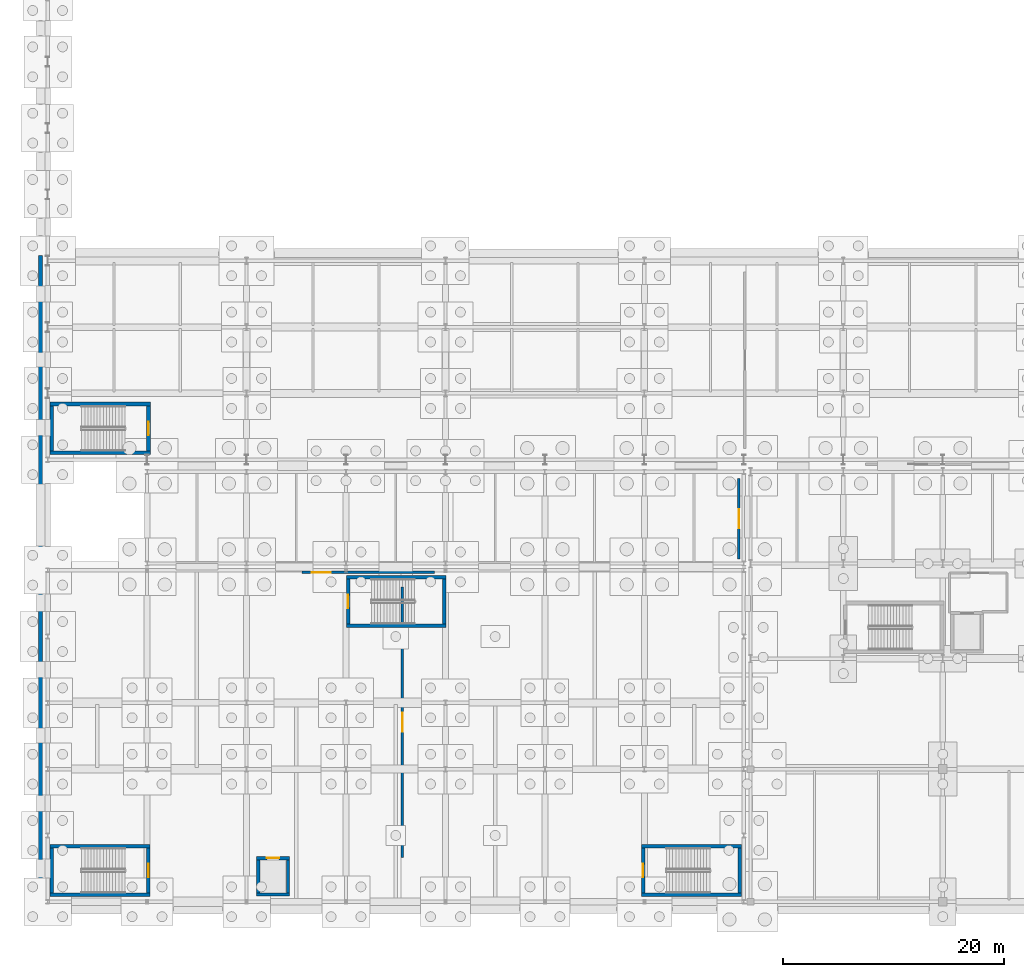
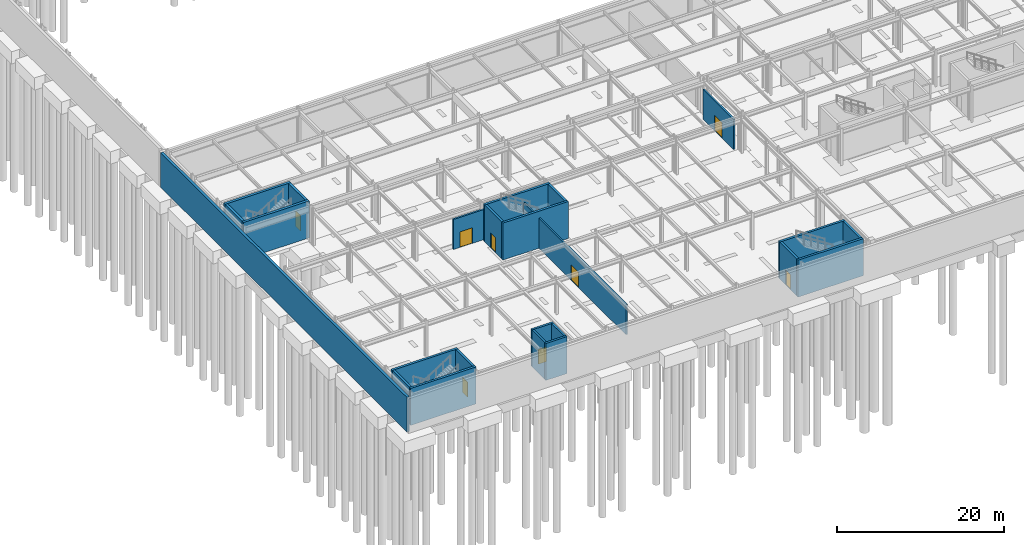
# One storey, part 42 of 65: 24 walls, 8 doors, 8 openings.
"""IFC4 building model written with IfcOpenShell, lengths in metres."""

from ifc_helpers import new_model, si_unit, direction, frame, frame_2d, origin, place, context, subcontext, project, spatial, rectangle, extrude, material, layer, layer_set, type_object, element, fill, save


model = new_model("IFC4")

# Units and contexts
model_context = context("Model", 3, precision=1e-05, world=origin(), true_north=direction((0.0, 1.0)))
body_context = subcontext(model_context, "Body", "Model", "MODEL_VIEW")
ifc_project = project(units=[si_unit("LENGTHUNIT", "METRE"), si_unit("AREAUNIT", "SQUARE_METRE"), si_unit("VOLUMEUNIT", "CUBIC_METRE"), si_unit("PLANEANGLEUNIT", "RADIAN"), si_unit("MASSUNIT", "GRAM", prefix="KILO")], contexts=[model_context])

# Site, building, storey
site_placement = place(None, origin())
site = spatial("IfcSite", under=ifc_project, at=site_placement, CompositionType="ELEMENT")
building_placement = place(site_placement, origin())
building = spatial("IfcBuilding", under=site, at=building_placement, Name="Kaldris Quays Convention Centre", CompositionType="ELEMENT")
storey_placement = place(building_placement, frame((0.0, 0.0, -5.39990234375)))
storey = spatial("IfcBuildingStorey", under=building, at=storey_placement, Name="B1", CompositionType="ELEMENT", Elevation=-5.39990234375)

# Wall, opening, door
ifc_material_1 = material(Name="Concrete C35/45", Category="concrete")
ifc_layer_1 = layer(ifc_material_1, 0.22412109375)
ifc_layer_set_1 = layer_set([ifc_layer_1], Name="Concrete C35/45")
wall_type_1 = type_object("IfcWallType", Name="INTERIOR WALL IW08", PredefinedType="PARTITIONING", material=ifc_layer_set_1)
wall_1_placement = place(storey_placement, frame((82.550048828125, 47.0, 0.0), z_axis=(0.0, 0.0, 1.0), x_axis=(0.0, 1.0, 0.0)))
wall_1 = element("IfcWall", 1, at=wall_1_placement, inside=storey, type_object=wall_type_1, Name="B1 Interior Wall IW08 1", PredefinedType="PARTITIONING", context=body_context, shape_type="SweptSolid", body=[
    extrude(rectangle(XDim=7.300048828125, YDim=0.22412109375, at=frame_2d((3.64990234375, 0.0))), origin(), (0.0, 0.0, 1.0), 4.39990234375),
])
opening_1_placement = place(wall_1_placement, frame((2.7900390625, 0.0, 0.0)))
opening_1 = element("IfcOpeningElement", 2, at=opening_1_placement, cuts=wall_1, Name="Opening ID15", PredefinedType="OPENING", context=body_context, shape_type="SweptSolid", body=[
    extrude(rectangle(XDim=1.719970703125, YDim=2.280029296875, at=frame_2d((0.85986328125, 1.14013671875))), frame((0.0, 0.1220703125, 0.0), z_axis=(0.0, -1.0, 0.0), x_axis=(1.0, 0.0, 0.0)), (0.0, 0.0, 1.0), 0.244140625),
])
ifc_material_2 = material(Name="Steel S355J2 plant room double fire door", Category="steel")
door_type_1 = type_object("IfcDoorType", Name="INTERIOR DOOR ID15", OperationType="DOUBLE_DOOR_SINGLE_SWING", PredefinedType="DOOR", material=ifc_material_2)
door_1_placement = place(opening_1_placement, frame((1.719970703125, 0.0, 0.0), z_axis=(0.0, 0.0, 1.0), x_axis=(-1.0, 0.0, 0.0)))
door_1 = element("IfcDoor", 3, at=door_1_placement, inside=storey, type_object=door_type_1, Name="B1 Interior Door ID15 1", OperationType="DOUBLE_DOOR_SINGLE_SWING", OverallHeight=2.280029296875, OverallWidth=1.719970703125, PredefinedType="DOOR", context=body_context, shape_type="SweptSolid", body=[
    extrude(rectangle(XDim=1.719970703125, YDim=2.280029296875, at=frame_2d((0.85986328125, 1.14013671875))), frame((0.0, 0.02490234375, 0.0), z_axis=(0.0, -1.0, 0.0), x_axis=(1.0, 0.0, 0.0)), (0.0, 0.0, 1.0), 0.050048828125),
])
fill(opening_1, door_1)

wall_2_placement = place(storey_placement, frame((43.0, 45.800048828125, 0.0), z_axis=(0.0, 0.0, 1.0), x_axis=(1.0, 0.0, 0.0)))
wall_2 = element("IfcWall", 4, at=wall_2_placement, inside=storey, type_object=wall_type_1, Name="B1 Interior Wall IW08 2", PredefinedType="PARTITIONING", context=body_context, shape_type="SweptSolid", body=[
    extrude(rectangle(XDim=12.0, YDim=0.22412109375, at=frame_2d((6.0, 0.0))), origin(), (0.0, 0.0, 1.0), 4.39990234375),
])
opening_2_placement = place(wall_2_placement, frame((0.889892578125, 0.0, 0.0)))
opening_2 = element("IfcOpeningElement", 5, at=opening_2_placement, cuts=wall_2, Name="Opening ID15", PredefinedType="OPENING", context=body_context, shape_type="SweptSolid", body=[
    extrude(rectangle(XDim=1.719970703125, YDim=2.280029296875, at=frame_2d((0.85986328125, 1.14013671875))), frame((0.0, 0.1220703125, 0.0), z_axis=(0.0, -1.0, 0.0), x_axis=(1.0, 0.0, 0.0)), (0.0, 0.0, 1.0), 0.244140625),
])
door_2_placement = place(opening_2_placement, origin())
door_2 = element("IfcDoor", 6, at=door_2_placement, inside=storey, type_object=door_type_1, Name="B1 Interior Door ID15 2", OperationType="DOUBLE_DOOR_SINGLE_SWING", OverallHeight=2.280029296875, OverallWidth=1.719970703125, PredefinedType="DOOR", context=body_context, shape_type="SweptSolid", body=[
    extrude(rectangle(XDim=1.719970703125, YDim=2.280029296875, at=frame_2d((0.85986328125, 1.14013671875))), frame((0.0, 0.02490234375, 0.0), z_axis=(0.0, -1.0, 0.0), x_axis=(1.0, 0.0, 0.0)), (0.0, 0.0, 1.0), 0.050048828125),
])
fill(opening_2, door_2)

wall_3_placement = place(storey_placement, frame((52.10009765625, 20.0, 0.0), z_axis=(0.0, 0.0, 1.0), x_axis=(0.0, 1.0, 0.0)))
wall_3 = element("IfcWall", 7, at=wall_3_placement, inside=storey, type_object=wall_type_1, Name="B1 Interior Wall IW08 3", PredefinedType="PARTITIONING", context=body_context, shape_type="SweptSolid", body=[
    extrude(rectangle(XDim=24.5, YDim=0.22412109375, at=frame_2d((12.25, 0.0))), origin(), (0.0, 0.0, 1.0), 4.39990234375),
])
opening_3_placement = place(wall_3_placement, frame((11.389892578125, 0.0, 0.0)))
opening_3 = element("IfcOpeningElement", 8, at=opening_3_placement, cuts=wall_3, Name="Opening ID15", PredefinedType="OPENING", context=body_context, shape_type="SweptSolid", body=[
    extrude(rectangle(XDim=1.719970703125, YDim=2.280029296875, at=frame_2d((0.85986328125, 1.14013671875))), frame((0.0, 0.1220703125, 0.0), z_axis=(0.0, -1.0, 0.0), x_axis=(1.0, 0.0, 0.0)), (0.0, 0.0, 1.0), 0.244140625),
])
door_3_placement = place(opening_3_placement, origin())
door_3 = element("IfcDoor", 9, at=door_3_placement, inside=storey, type_object=door_type_1, Name="B1 Interior Door ID15 3", OperationType="DOUBLE_DOOR_SINGLE_SWING", OverallHeight=2.280029296875, OverallWidth=1.719970703125, PredefinedType="DOOR", context=body_context, shape_type="SweptSolid", body=[
    extrude(rectangle(XDim=1.719970703125, YDim=2.280029296875, at=frame_2d((0.85986328125, 1.14013671875))), frame((0.0, 0.02490234375, 0.0), z_axis=(0.0, -1.0, 0.0), x_axis=(1.0, 0.0, 0.0)), (0.0, 0.0, 1.0), 0.050048828125),
])
fill(opening_3, door_3)

# Walls
ifc_layer_2 = layer(ifc_material_1, 0.360107421875)
ifc_layer_set_2 = layer_set([ifc_layer_2], Name="Concrete C35/45")
wall_type_2 = type_object("IfcWallType", Name="STRUCTURAL WALL RW01", PredefinedType="SOLIDWALL", material=ifc_layer_set_2)
wall_4_placement = place(storey_placement, frame((19.35009765625, 15.52197265625, 0.0), z_axis=(0.0, 0.0, 1.0), x_axis=(0.0, 1.0, 0.0)))
element("IfcWall", 10, at=wall_4_placement, inside=storey, type_object=wall_type_2, Name="B1 Perimeter Retaining Wall RW01 1", PredefinedType="SOLIDWALL", context=body_context, shape_type="SweptSolid", body=[
    extrude(rectangle(XDim=58.9560546875, YDim=0.360107421875, at=frame_2d((29.47802734375, 0.0))), origin(), (0.0, 0.0, 1.0), 5.0478515625),
])
ifc_material_3 = material(Name="Concrete C40/50", Category="concrete")
ifc_layer_3 = layer(ifc_material_3, 0.35009765625)
ifc_layer_set_3 = layer_set([ifc_layer_3], Name="Concrete C40/50")
wall_type_3 = type_object("IfcWallType", Name="STRUCTURAL WALL SW01", PredefinedType="SHEAR", material=ifc_layer_set_3)
for number, where, z_axis, x_axis, name in (
    (11, (20.199951171875, 56.625, 0.0), (0.0, 0.0, 1.0), (1.0, 0.0, 0.0), "B1 Core Shear Wall CORE-ST01-B1-S"),
    (12, (20.199951171875, 61.02490234375, 0.0), (0.0, 0.0, 1.0), (1.0, 0.0, 0.0), "B1 Core Shear Wall CORE-ST01-B1-N"),
):
    element("IfcWall", number, at=place(storey_placement, frame(where, z_axis=z_axis, x_axis=x_axis)), inside=storey, type_object=wall_type_3, Name=name, PredefinedType="SHEAR", context=body_context, shape_type="SweptSolid", body=[
        extrude(rectangle(XDim=9.10009765625, YDim=0.35009765625, at=frame_2d((4.550048828125, 0.0))), origin(), (0.0, 0.0, 1.0), 5.39990234375),
    ])
wall_5_placement = place(storey_placement, frame((20.375, 56.800048828125, 0.0), z_axis=(0.0, 0.0, 1.0), x_axis=(0.0, 1.0, 0.0)))
element("IfcWall", 13, at=wall_5_placement, inside=storey, type_object=wall_type_3, Name="B1 Core Shear Wall CORE-ST01-B1-W", PredefinedType="SHEAR", context=body_context, shape_type="SweptSolid", body=[
    extrude(rectangle(XDim=4.050048828125, YDim=0.35009765625, at=frame_2d((2.02490234375, 0.0))), origin(), (0.0, 0.0, 1.0), 5.39990234375),
])

# Wall, opening, door
wall_6_placement = place(storey_placement, frame((29.125, 56.800048828125, 0.0), z_axis=(0.0, 0.0, 1.0), x_axis=(0.0, 1.0, 0.0)))
wall_6 = element("IfcWall", 14, at=wall_6_placement, inside=storey, type_object=wall_type_3, Name="B1 Core Shear Wall CORE-ST01-B1-E", PredefinedType="SHEAR", context=body_context, shape_type="SweptSolid", body=[
    extrude(rectangle(XDim=4.050048828125, YDim=0.35009765625, at=frame_2d((2.02490234375, 0.0))), origin(), (0.0, 0.0, 1.0), 5.39990234375),
])
opening_4_placement = place(wall_6_placement, frame((1.425048828125, 0.0, 0.0)))
opening_4 = element("IfcOpeningElement", 15, at=opening_4_placement, cuts=wall_6, Name="Opening ID03", PredefinedType="OPENING", context=body_context, shape_type="SweptSolid", body=[
    extrude(rectangle(XDim=1.199951171875, YDim=2.199951171875, at=frame_2d((0.60009765625, 1.10009765625))), frame((0.0, 0.18505859375, 0.0), z_axis=(0.0, -1.0, 0.0), x_axis=(1.0, 0.0, 0.0)), (0.0, 0.0, 1.0), 0.3701171875),
])
ifc_material_4 = material(Name="Steel S355J2 fire-resisting door", Category="steel")
door_type_2 = type_object("IfcDoorType", Name="INTERIOR DOOR ID03", OperationType="NOTDEFINED", PredefinedType="DOOR", material=ifc_material_4)
door_4_placement = place(opening_4_placement, origin())
door_4 = element("IfcDoor", 16, at=door_4_placement, inside=storey, type_object=door_type_2, Name="B1 Escape Stair ST01 Fire Door", OperationType="SINGLE_SWING_LEFT", OverallHeight=2.199951171875, OverallWidth=1.199951171875, PredefinedType="DOOR", context=body_context, shape_type="SweptSolid", body=[
    extrude(rectangle(XDim=1.199951171875, YDim=2.199951171875, at=frame_2d((0.60009765625, 1.10009765625))), frame((0.0, 0.02490234375, 0.0), z_axis=(0.0, -1.0, 0.0), x_axis=(1.0, 0.0, 0.0)), (0.0, 0.0, 1.0), 0.050048828125),
])
fill(opening_4, door_4)

# Walls
ifc_layer_4 = layer(ifc_material_3, 0.320068359375)
ifc_layer_set_4 = layer_set([ifc_layer_4], Name="Concrete C40/50")
wall_type_4 = type_object("IfcWallType", Name="STRUCTURAL WALL SW02", PredefinedType="SHEAR", material=ifc_layer_set_4)
for number, where, z_axis, x_axis, name in (
    (17, (20.22998046875, 16.639892578125, 0.0), (0.0, 0.0, 1.0), (1.0, 0.0, 0.0), "B1 Core Shear Wall CORE-ST05-B1-S"),
    (18, (20.22998046875, 21.010009765625, 0.0), (0.0, 0.0, 1.0), (1.0, 0.0, 0.0), "B1 Core Shear Wall CORE-ST05-B1-N"),
):
    element("IfcWall", number, at=place(storey_placement, frame(where, z_axis=z_axis, x_axis=x_axis)), inside=storey, type_object=wall_type_4, Name=name, PredefinedType="SHEAR", context=body_context, shape_type="SweptSolid", body=[
        extrude(rectangle(XDim=9.0400390625, YDim=0.320068359375, at=frame_2d((4.52001953125, 0.0))), origin(), (0.0, 0.0, 1.0), 5.39990234375),
    ])
wall_7_placement = place(storey_placement, frame((20.389892578125, 16.800048828125, 0.0), z_axis=(0.0, 0.0, 1.0), x_axis=(0.0, 1.0, 0.0)))
element("IfcWall", 19, at=wall_7_placement, inside=storey, type_object=wall_type_4, Name="B1 Core Shear Wall CORE-ST05-B1-W", PredefinedType="SHEAR", context=body_context, shape_type="SweptSolid", body=[
    extrude(rectangle(XDim=4.050048828125, YDim=0.320068359375, at=frame_2d((2.02490234375, 0.0))), origin(), (0.0, 0.0, 1.0), 5.39990234375),
])

# Wall, opening, door
wall_8_placement = place(storey_placement, frame((29.110107421875, 16.800048828125, 0.0), z_axis=(0.0, 0.0, 1.0), x_axis=(0.0, 1.0, 0.0)))
wall_8 = element("IfcWall", 20, at=wall_8_placement, inside=storey, type_object=wall_type_4, Name="B1 Core Shear Wall CORE-ST05-B1-E", PredefinedType="SHEAR", context=body_context, shape_type="SweptSolid", body=[
    extrude(rectangle(XDim=4.050048828125, YDim=0.320068359375, at=frame_2d((2.02490234375, 0.0))), origin(), (0.0, 0.0, 1.0), 5.39990234375),
])
opening_5_placement = place(wall_8_placement, frame((1.425048828125, 0.0, 0.0)))
opening_5 = element("IfcOpeningElement", 21, at=opening_5_placement, cuts=wall_8, Name="Opening ID03", PredefinedType="OPENING", context=body_context, shape_type="SweptSolid", body=[
    extrude(rectangle(XDim=1.199951171875, YDim=2.199951171875, at=frame_2d((0.60009765625, 1.10009765625))), frame((0.0, 0.169921875, 0.0), z_axis=(0.0, -1.0, 0.0), x_axis=(1.0, 0.0, 0.0)), (0.0, 0.0, 1.0), 0.340087890625),
])
door_5_placement = place(opening_5_placement, origin())
door_5 = element("IfcDoor", 22, at=door_5_placement, inside=storey, type_object=door_type_2, Name="B1 Escape Stair ST05 Fire Door", OperationType="SINGLE_SWING_LEFT", OverallHeight=2.199951171875, OverallWidth=1.199951171875, PredefinedType="DOOR", context=body_context, shape_type="SweptSolid", body=[
    extrude(rectangle(XDim=1.199951171875, YDim=2.199951171875, at=frame_2d((0.60009765625, 1.10009765625))), frame((0.0, 0.02490234375, 0.0), z_axis=(0.0, -1.0, 0.0), x_axis=(1.0, 0.0, 0.0)), (0.0, 0.0, 1.0), 0.050048828125),
])
fill(opening_5, door_5)

# Walls
for number, where, z_axis, x_axis, name in (
    (23, (73.72998046875, 16.639892578125, 0.0), (0.0, 0.0, 1.0), (1.0, 0.0, 0.0), "B1 Core Shear Wall CORE-ST06-B1-S"),
    (24, (73.72998046875, 21.010009765625, 0.0), (0.0, 0.0, 1.0), (1.0, 0.0, 0.0), "B1 Core Shear Wall CORE-ST06-B1-N"),
):
    element("IfcWall", number, at=place(storey_placement, frame(where, z_axis=z_axis, x_axis=x_axis)), inside=storey, type_object=wall_type_4, Name=name, PredefinedType="SHEAR", context=body_context, shape_type="SweptSolid", body=[
        extrude(rectangle(XDim=9.0400390625, YDim=0.320068359375, at=frame_2d((4.52001953125, 0.0))), origin(), (0.0, 0.0, 1.0), 5.39990234375),
    ])

# Wall, opening, door
wall_9_placement = place(storey_placement, frame((73.889892578125, 16.800048828125, 0.0), z_axis=(0.0, 0.0, 1.0), x_axis=(0.0, 1.0, 0.0)))
wall_9 = element("IfcWall", 25, at=wall_9_placement, inside=storey, type_object=wall_type_4, Name="B1 Core Shear Wall CORE-ST06-B1-W", PredefinedType="SHEAR", context=body_context, shape_type="SweptSolid", body=[
    extrude(rectangle(XDim=4.050048828125, YDim=0.320068359375, at=frame_2d((2.02490234375, 0.0))), origin(), (0.0, 0.0, 1.0), 5.39990234375),
])
opening_6_placement = place(wall_9_placement, frame((1.425048828125, 0.0, 0.0)))
opening_6 = element("IfcOpeningElement", 26, at=opening_6_placement, cuts=wall_9, Name="Opening ID03", PredefinedType="OPENING", context=body_context, shape_type="SweptSolid", body=[
    extrude(rectangle(XDim=1.199951171875, YDim=2.199951171875, at=frame_2d((0.60009765625, 1.10009765625))), frame((0.0, 0.169921875, 0.0), z_axis=(0.0, -1.0, 0.0), x_axis=(1.0, 0.0, 0.0)), (0.0, 0.0, 1.0), 0.340087890625),
])
door_6_placement = place(opening_6_placement, frame((1.199951171875, 0.0, 0.0), z_axis=(0.0, 0.0, 1.0), x_axis=(-1.0, 0.0, 0.0)))
door_6 = element("IfcDoor", 27, at=door_6_placement, inside=storey, type_object=door_type_2, Name="B1 Escape Stair ST06 Fire Door", OperationType="SINGLE_SWING_RIGHT", OverallHeight=2.199951171875, OverallWidth=1.199951171875, PredefinedType="DOOR", context=body_context, shape_type="SweptSolid", body=[
    extrude(rectangle(XDim=1.199951171875, YDim=2.199951171875, at=frame_2d((0.60009765625, 1.10009765625))), frame((0.0, 0.02490234375, 0.0), z_axis=(0.0, -1.0, 0.0), x_axis=(1.0, 0.0, 0.0)), (0.0, 0.0, 1.0), 0.050048828125),
])
fill(opening_6, door_6)

# Walls
wall_10_placement = place(storey_placement, frame((82.610107421875, 16.800048828125, 0.0), z_axis=(0.0, 0.0, 1.0), x_axis=(0.0, 1.0, 0.0)))
element("IfcWall", 28, at=wall_10_placement, inside=storey, type_object=wall_type_4, Name="B1 Core Shear Wall CORE-ST06-B1-E", PredefinedType="SHEAR", context=body_context, shape_type="SweptSolid", body=[
    extrude(rectangle(XDim=4.050048828125, YDim=0.320068359375, at=frame_2d((2.02490234375, 0.0))), origin(), (0.0, 0.0, 1.0), 5.39990234375),
])
for number, where, z_axis, x_axis, name in (
    (29, (47.030029296875, 40.989990234375, 0.0), (0.0, 0.0, 1.0), (1.0, 0.0, 0.0), "B1 Core Shear Wall CORE-ST07-B1-S"),
    (30, (47.030029296875, 45.360107421875, 0.0), (0.0, 0.0, 1.0), (1.0, 0.0, 0.0), "B1 Core Shear Wall CORE-ST07-B1-N"),
):
    element("IfcWall", number, at=place(storey_placement, frame(where, z_axis=z_axis, x_axis=x_axis)), inside=storey, type_object=wall_type_4, Name=name, PredefinedType="SHEAR", context=body_context, shape_type="SweptSolid", body=[
        extrude(rectangle(XDim=9.0400390625, YDim=0.320068359375, at=frame_2d((4.52001953125, 0.0))), origin(), (0.0, 0.0, 1.0), 5.39990234375),
    ])

# Wall, opening, door
wall_11_placement = place(storey_placement, frame((47.18994140625, 41.14990234375, 0.0), z_axis=(0.0, 0.0, 1.0), x_axis=(0.0, 1.0, 0.0)))
wall_11 = element("IfcWall", 31, at=wall_11_placement, inside=storey, type_object=wall_type_4, Name="B1 Core Shear Wall CORE-ST07-B1-W", PredefinedType="SHEAR", context=body_context, shape_type="SweptSolid", body=[
    extrude(rectangle(XDim=4.050048828125, YDim=0.320068359375, at=frame_2d((2.02490234375, 0.0))), origin(), (0.0, 0.0, 1.0), 5.39990234375),
])
opening_7_placement = place(wall_11_placement, frame((1.425048828125, 0.0, 0.0)))
opening_7 = element("IfcOpeningElement", 32, at=opening_7_placement, cuts=wall_11, Name="Opening ID03", PredefinedType="OPENING", context=body_context, shape_type="SweptSolid", body=[
    extrude(rectangle(XDim=1.199951171875, YDim=2.199951171875, at=frame_2d((0.60009765625, 1.10009765625))), frame((0.0, 0.169921875, 0.0), z_axis=(0.0, -1.0, 0.0), x_axis=(1.0, 0.0, 0.0)), (0.0, 0.0, 1.0), 0.340087890625),
])
door_7_placement = place(opening_7_placement, frame((1.199951171875, 0.0, 0.0), z_axis=(0.0, 0.0, 1.0), x_axis=(-1.0, 0.0, 0.0)))
door_7 = element("IfcDoor", 33, at=door_7_placement, inside=storey, type_object=door_type_2, Name="B1 Escape Stair ST07 Fire Door", OperationType="SINGLE_SWING_LEFT", OverallHeight=2.199951171875, OverallWidth=1.199951171875, PredefinedType="DOOR", context=body_context, shape_type="SweptSolid", body=[
    extrude(rectangle(XDim=1.199951171875, YDim=2.199951171875, at=frame_2d((0.60009765625, 1.10009765625))), frame((0.0, 0.02490234375, 0.0), z_axis=(0.0, -1.0, 0.0), x_axis=(1.0, 0.0, 0.0)), (0.0, 0.0, 1.0), 0.050048828125),
])
fill(opening_7, door_7)

# Walls
wall_12_placement = place(storey_placement, frame((55.909912109375, 41.14990234375, 0.0), z_axis=(0.0, 0.0, 1.0), x_axis=(0.0, 1.0, 0.0)))
element("IfcWall", 34, at=wall_12_placement, inside=storey, type_object=wall_type_4, Name="B1 Core Shear Wall CORE-ST07-B1-E", PredefinedType="SHEAR", context=body_context, shape_type="SweptSolid", body=[
    extrude(rectangle(XDim=4.050048828125, YDim=0.320068359375, at=frame_2d((2.02490234375, 0.0))), origin(), (0.0, 0.0, 1.0), 5.39990234375),
])
ifc_layer_5 = layer(ifc_material_3, 0.280029296875)
ifc_layer_set_5 = layer_set([ifc_layer_5], Name="Concrete C40/50")
wall_type_5 = type_object("IfcWallType", Name="STRUCTURAL WALL SW03", PredefinedType="SHEAR", material=ifc_layer_set_5)
wall_13_placement = place(storey_placement, frame((38.919921875, 16.659912109375, 0.0), z_axis=(0.0, 0.0, 1.0), x_axis=(1.0, 0.0, 0.0)))
element("IfcWall", 35, at=wall_13_placement, inside=storey, type_object=wall_type_5, Name="B1 Core Shear Wall LSHAFT-PL01-B1-S", PredefinedType="SHEAR", context=body_context, shape_type="SweptSolid", body=[
    extrude(rectangle(XDim=2.9599609375, YDim=0.280029296875, at=frame_2d((1.47998046875, 0.0))), origin(), (0.0, 0.0, 1.0), 5.39990234375),
])

# Wall, opening, door
wall_14_placement = place(storey_placement, frame((38.919921875, 19.93994140625, 0.0), z_axis=(0.0, 0.0, 1.0), x_axis=(1.0, 0.0, 0.0)))
wall_14 = element("IfcWall", 36, at=wall_14_placement, inside=storey, type_object=wall_type_5, Name="B1 Core Shear Wall LSHAFT-PL01-B1-N", PredefinedType="SHEAR", context=body_context, shape_type="SweptSolid", body=[
    extrude(rectangle(XDim=2.9599609375, YDim=0.280029296875, at=frame_2d((1.47998046875, 0.0))), origin(), (0.0, 0.0, 1.0), 5.39990234375),
])
opening_8_placement = place(wall_14_placement, frame((0.929931640625, 0.0, 0.0)))
opening_8 = element("IfcOpeningElement", 37, at=opening_8_placement, cuts=wall_14, Name="Opening LD01", PredefinedType="OPENING", context=body_context, shape_type="SweptSolid", body=[
    extrude(rectangle(XDim=1.10009765625, YDim=2.14990234375, at=frame_2d((0.550048828125, 1.074951171875))), frame((0.0, 0.14990234375, 0.0), z_axis=(0.0, -1.0, 0.0), x_axis=(1.0, 0.0, 0.0)), (0.0, 0.0, 1.0), 0.300048828125),
])
ifc_material_5 = material(Name="Stainless steel 1.4301 lift landing door", Category="steel")
door_type_3 = type_object("IfcDoorType", Name="INTERIOR DOOR LD01", OperationType="DOUBLE_DOOR_SLIDING", PredefinedType="DOOR", material=ifc_material_5)
door_8_placement = place(opening_8_placement, origin())
door_8 = element("IfcDoor", 38, at=door_8_placement, inside=storey, type_object=door_type_3, Name="B1 PL01 Sliding Lift Landing Door", OperationType="DOUBLE_DOOR_SLIDING", OverallHeight=2.14990234375, OverallWidth=1.10009765625, PredefinedType="DOOR", context=body_context, shape_type="SweptSolid", body=[
    extrude(rectangle(XDim=1.10009765625, YDim=2.14990234375, at=frame_2d((0.550048828125, 1.074951171875))), frame((0.0, 0.02490234375, 0.0), z_axis=(0.0, -1.0, 0.0), x_axis=(1.0, 0.0, 0.0)), (0.0, 0.0, 1.0), 0.050048828125),
])
fill(opening_8, door_8)

# Walls
for number, where, z_axis, x_axis, name in (
    (39, (39.06005859375, 16.800048828125, 0.0), (0.0, 0.0, 1.0), (0.0, 1.0, 0.0), "B1 Core Shear Wall LSHAFT-PL01-B1-W"),
    (40, (41.739990234375, 16.800048828125, 0.0), (0.0, 0.0, 1.0), (0.0, 1.0, 0.0), "B1 Core Shear Wall LSHAFT-PL01-B1-E"),
):
    element("IfcWall", number, at=place(storey_placement, frame(where, z_axis=z_axis, x_axis=x_axis)), inside=storey, type_object=wall_type_5, Name=name, PredefinedType="SHEAR", context=body_context, shape_type="SweptSolid", body=[
        extrude(rectangle(XDim=3.0, YDim=0.280029296875, at=frame_2d((1.5, 0.0))), origin(), (0.0, 0.0, 1.0), 5.39990234375),
    ])

save(model, "model.ifc")
